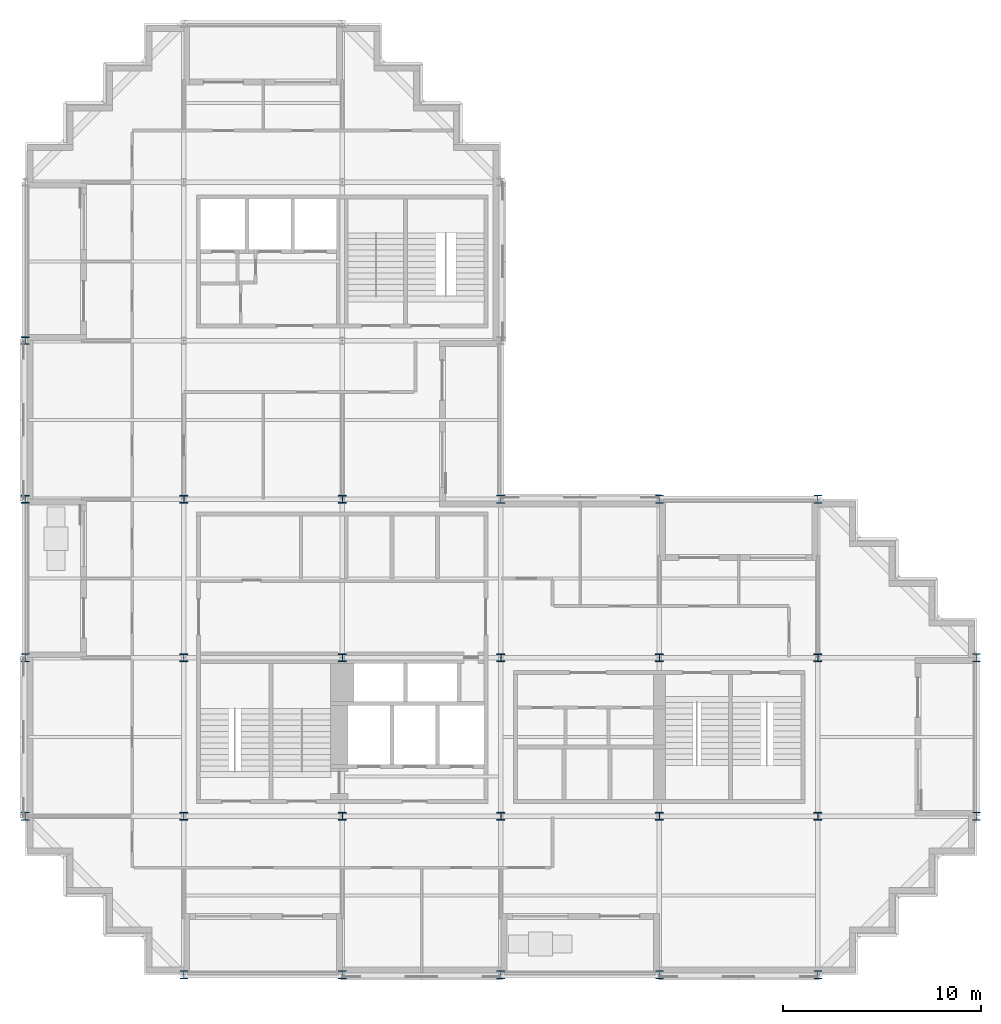
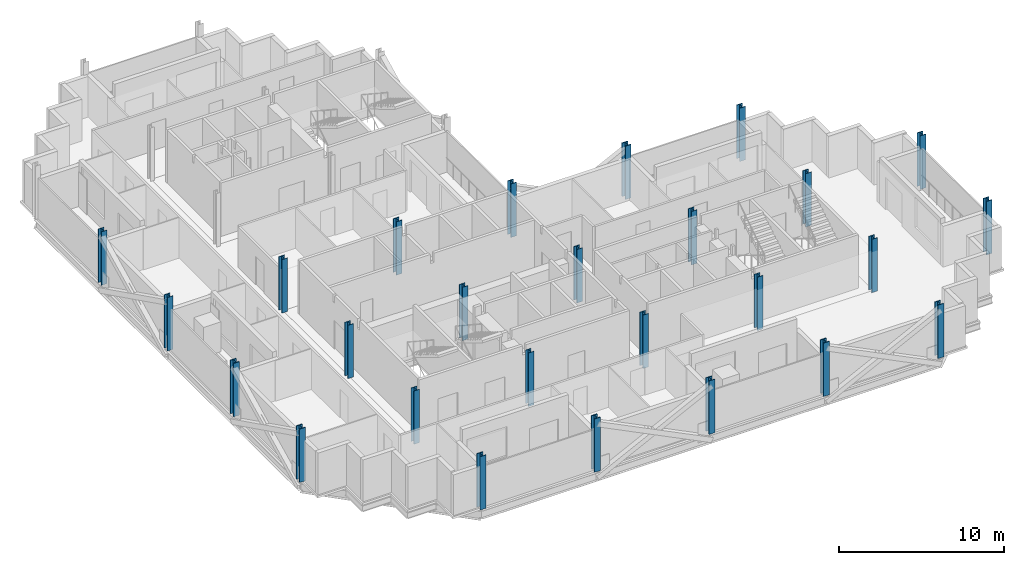
# One storey, part 1 of 12: 26 columns.
"""IFC4 building model written with IfcOpenShell, lengths in metres."""

from ifc_helpers import new_model, si_unit, direction, frame, origin, origin_2d, place, context, subcontext, project, spatial, i_section, extrude, material, material_profile, profile_set, type_object, element, save


model = new_model("IFC4")

# Units and contexts
model_context = context("Model", 3, precision=1e-05, world=origin(), true_north=direction((0.0, 1.0)))
body_context = subcontext(model_context, "Body", "Model", "MODEL_VIEW")
ifc_project = project(units=[si_unit("LENGTHUNIT", "METRE"), si_unit("AREAUNIT", "SQUARE_METRE"), si_unit("VOLUMEUNIT", "CUBIC_METRE"), si_unit("PLANEANGLEUNIT", "RADIAN"), si_unit("MASSUNIT", "GRAM", prefix="KILO")], contexts=[model_context])

# Site, building, storey
site_placement = place(None, origin())
site = spatial("IfcSite", under=ifc_project, at=site_placement, CompositionType="ELEMENT")
building_placement = place(site_placement, origin())
building = spatial("IfcBuilding", under=site, at=building_placement, Name="Immortelle Media Tower", CompositionType="ELEMENT")
storey_placement = place(building_placement, frame((0.0, 0.0, 178.800048828125)))
storey = spatial("IfcBuildingStorey", under=building, at=storey_placement, Name="L37", CompositionType="ELEMENT", Elevation=178.800048828125)

# Columns
ifc_material = material(Name="Steel ASTM A992 Gr 50", Category="steel")
ifc_material_profile_1 = material_profile(ifc_material, i_section(OverallWidth=0.39892578125, OverallDepth=0.385986328125, WebThickness=0.02099609375, FlangeThickness=0.032958984375, at=origin_2d()), Name="W14x176")
ifc_profile_set_1 = profile_set([ifc_material_profile_1], Name="Steel ASTM A992 Gr 50")
column_type_1 = type_object("IfcColumnType", Name="W14x176 column", PredefinedType="COLUMN", material=ifc_profile_set_1)
for number, where, z_axis, x_axis, name in (
    (1, (0.0, 24.0, 0.0), (0.0, 0.0, 1.0), (1.0, 0.0, 0.0), "Column 1/D"),
    (2, (0.0, 32.0, 0.0), (0.0, 0.0, 1.0), (1.0, 0.0, 0.0), "Column 1/E"),
    (3, (8.0, 8.0, 0.0), (0.0, 0.0, 1.0), (1.0, 0.0, 0.0), "Column 2/B"),
    (4, (8.0, 16.0, 0.0), (0.0, 0.0, 1.0), (1.0, 0.0, 0.0), "Column 2/C"),
    (5, (16.0, 8.0, 0.0), (0.0, 0.0, 1.0), (1.0, 0.0, 0.0), "Column 3/B"),
    (6, (16.0, 16.0, 0.0), (0.0, 0.0, 1.0), (1.0, 0.0, 0.0), "Column 3/C"),
    (7, (32.0, 8.0, 0.0), (0.0, 0.0, 1.0), (1.0, 0.0, 0.0), "Column 5/B"),
    (8, (32.0, 16.0, 0.0), (0.0, 0.0, 1.0), (1.0, 0.0, 0.0), "Column 5/C"),
    (9, (40.0, 8.0, 0.0), (0.0, 0.0, 1.0), (1.0, 0.0, 0.0), "Column 6/B"),
    (10, (40.0, 16.0, 0.0), (0.0, 0.0, 1.0), (1.0, 0.0, 0.0), "Column 6/C"),
):
    element("IfcColumn", number, at=place(storey_placement, frame(where, z_axis=z_axis, x_axis=x_axis)), inside=storey, type_object=column_type_1, Name=name, PredefinedType="COLUMN", context=body_context, shape_type="SweptSolid", body=[
        extrude(i_section(OverallWidth=0.39892578125, OverallDepth=0.385986328125, WebThickness=0.02099609375, FlangeThickness=0.032958984375, at=origin_2d()), origin(), (0.0, 0.0, 1.0), 3.949951171875),
    ])
ifc_material_profile_2 = material_profile(ifc_material, i_section(OverallWidth=0.40087890625, OverallDepth=0.39892578125, WebThickness=0.02490234375, FlangeThickness=0.0400390625, at=origin_2d()), Name="W14x211")
ifc_profile_set_2 = profile_set([ifc_material_profile_2], Name="Steel ASTM A992 Gr 50")
column_type_2 = type_object("IfcColumnType", Name="W14x211 column", PredefinedType="COLUMN", material=ifc_profile_set_2)
for number, where, z_axis, x_axis, name in (
    (11, (8.0, 24.0, 0.0), (0.0, 0.0, 1.0), (1.0, 0.0, 0.0), "Column 2/D"),
    (12, (16.0, 24.0, 0.0), (0.0, 0.0, 1.0), (1.0, 0.0, 0.0), "Column 3/D"),
    (13, (24.0, 8.0, 0.0), (0.0, 0.0, 1.0), (1.0, 0.0, 0.0), "Column 4/B"),
    (14, (24.0, 16.0, 0.0), (0.0, 0.0, 1.0), (1.0, 0.0, 0.0), "Column 4/C"),
):
    element("IfcColumn", number, at=place(storey_placement, frame(where, z_axis=z_axis, x_axis=x_axis)), inside=storey, type_object=column_type_2, Name=name, PredefinedType="COLUMN", context=body_context, shape_type="SweptSolid", body=[
        extrude(i_section(OverallWidth=0.40087890625, OverallDepth=0.39892578125, WebThickness=0.02490234375, FlangeThickness=0.0400390625, at=origin_2d()), origin(), (0.0, 0.0, 1.0), 3.949951171875),
    ])
ifc_material_profile_3 = material_profile(ifc_material, i_section(OverallWidth=0.406005859375, OverallDepth=0.4169921875, WebThickness=0.030029296875, FlangeThickness=0.048095703125, at=origin_2d()), Name="W14x257")
ifc_profile_set_3 = profile_set([ifc_material_profile_3], Name="Steel ASTM A992 Gr 50")
column_type_3 = type_object("IfcColumnType", Name="W14x257 column", PredefinedType="COLUMN", material=ifc_profile_set_3)
for number, where, z_axis, x_axis, name in (
    (15, (8.0, 0.0, 0.0), (0.0, 0.0, 1.0), (1.0, 0.0, 0.0), "Column 2/A"),
    (16, (40.0, 24.0, 0.0), (0.0, 0.0, 1.0), (1.0, 0.0, 0.0), "Column 6/D"),
    (17, (48.0, 8.0, 0.0), (0.0, 0.0, 1.0), (1.0, 0.0, 0.0), "Column 7/B"),
    (18, (48.0, 16.0, 0.0), (0.0, 0.0, 1.0), (1.0, 0.0, 0.0), "Column 7/C"),
):
    element("IfcColumn", number, at=place(storey_placement, frame(where, z_axis=z_axis, x_axis=x_axis)), inside=storey, type_object=column_type_3, Name=name, PredefinedType="COLUMN", context=body_context, shape_type="SweptSolid", body=[
        extrude(i_section(OverallWidth=0.406005859375, OverallDepth=0.4169921875, WebThickness=0.030029296875, FlangeThickness=0.048095703125, at=origin_2d()), origin(), (0.0, 0.0, 1.0), 3.949951171875),
    ])
ifc_material_profile_4 = material_profile(ifc_material, i_section(OverallWidth=0.410888671875, OverallDepth=0.43408203125, WebThickness=0.035888671875, FlangeThickness=0.056884765625, at=origin_2d()), Name="W14x311")
ifc_profile_set_4 = profile_set([ifc_material_profile_4], Name="Steel ASTM A992 Gr 50")
column_type_4 = type_object("IfcColumnType", Name="W14x311 column", PredefinedType="COLUMN", material=ifc_profile_set_4)
for number, where, z_axis, x_axis, name in (
    (19, (0.0, 8.0, 0.0), (0.0, 0.0, 1.0), (1.0, 0.0, 0.0), "Column 1/B"),
    (20, (0.0, 16.0, 0.0), (0.0, 0.0, 1.0), (1.0, 0.0, 0.0), "Column 1/C"),
    (21, (16.0, 0.0, 0.0), (0.0, 0.0, 1.0), (1.0, 0.0, 0.0), "Column 3/A"),
    (22, (24.0, 0.0, 0.0), (0.0, 0.0, 1.0), (1.0, 0.0, 0.0), "Column 4/A"),
    (23, (24.0, 24.0, 0.0), (0.0, 0.0, 1.0), (1.0, 0.0, 0.0), "Column 4/D"),
    (24, (32.0, 0.0, 0.0), (0.0, 0.0, 1.0), (1.0, 0.0, 0.0), "Column 5/A"),
    (25, (32.0, 24.0, 0.0), (0.0, 0.0, 1.0), (1.0, 0.0, 0.0), "Column 5/D"),
    (26, (40.0, 0.0, 0.0), (0.0, 0.0, 1.0), (1.0, 0.0, 0.0), "Column 6/A"),
):
    element("IfcColumn", number, at=place(storey_placement, frame(where, z_axis=z_axis, x_axis=x_axis)), inside=storey, type_object=column_type_4, Name=name, PredefinedType="COLUMN", context=body_context, shape_type="SweptSolid", body=[
        extrude(i_section(OverallWidth=0.410888671875, OverallDepth=0.43408203125, WebThickness=0.035888671875, FlangeThickness=0.056884765625, at=origin_2d()), origin(), (0.0, 0.0, 1.0), 3.949951171875),
    ])

save(model, "model.ifc")
